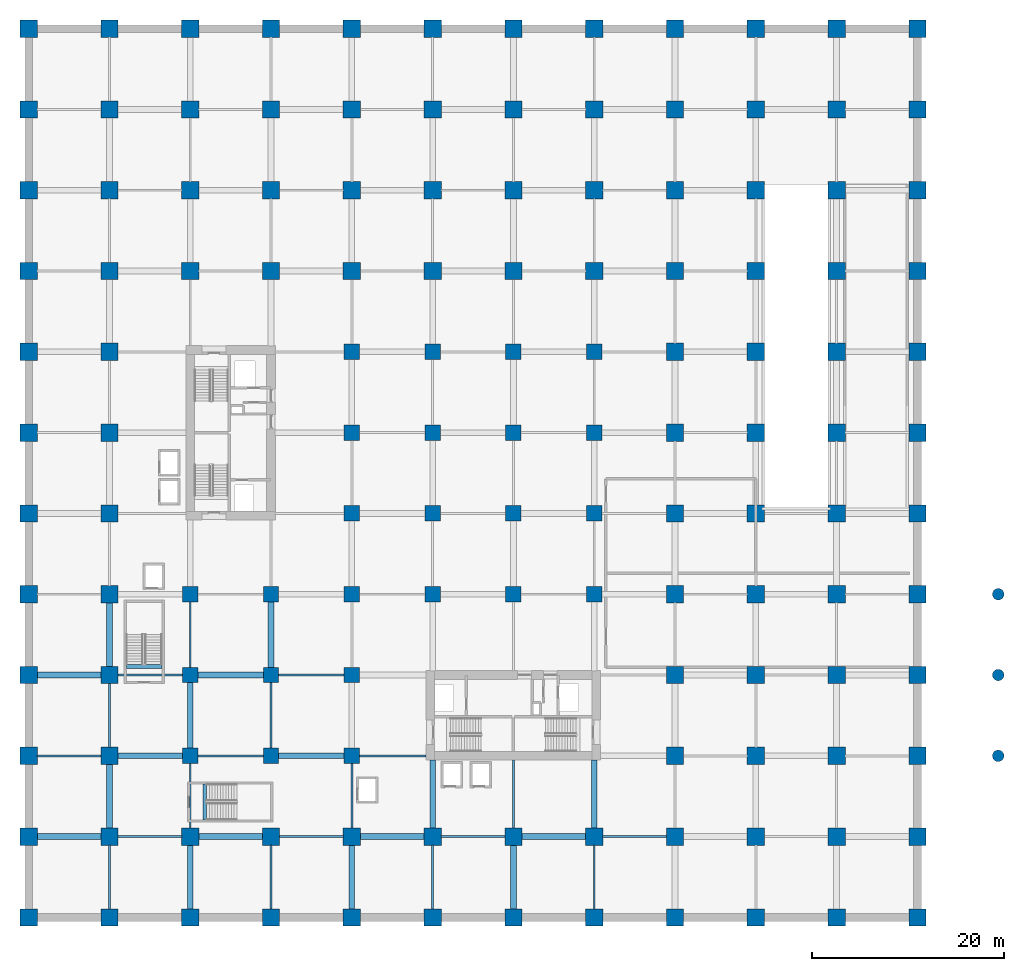
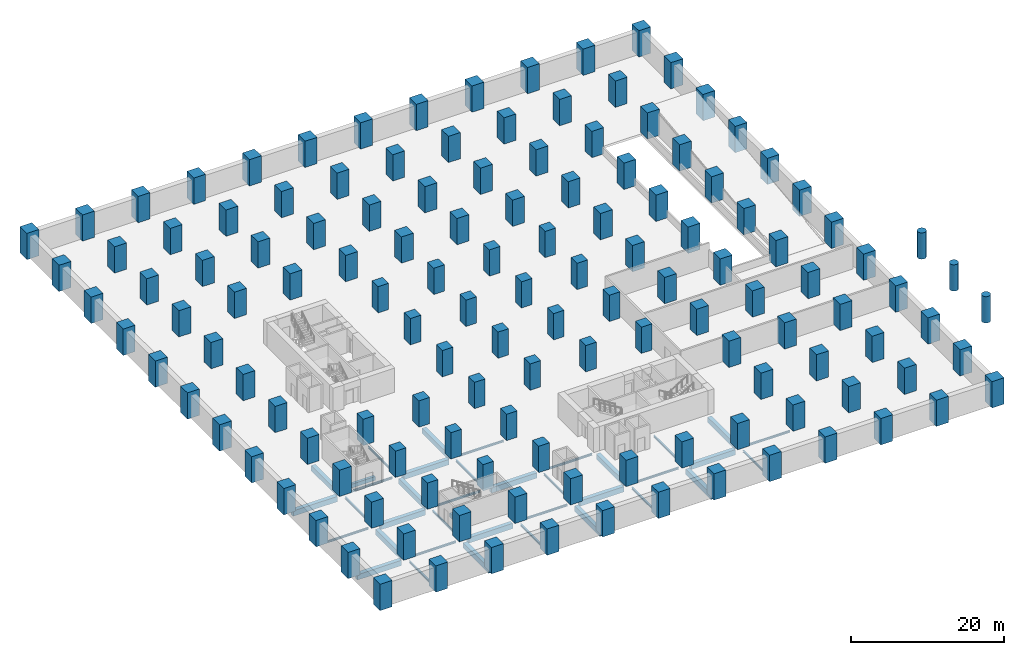
# One storey, part 1 of 13: 135 columns, 38 beams.
"""IFC4 building model written with IfcOpenShell, lengths in metres."""

from ifc_helpers import new_model, si_unit, direction, frame, origin, origin_2d, place, context, subcontext, project, spatial, rectangle, circle, i_section, extrude, material, material_profile, profile_set, type_object, element, save


model = new_model("IFC4")

# Units and contexts
model_context = context("Model", 3, precision=1e-05, world=origin(), true_north=direction((0.0, 1.0)))
body_context = subcontext(model_context, "Body", "Model", "MODEL_VIEW")
ifc_project = project(units=[si_unit("LENGTHUNIT", "METRE"), si_unit("AREAUNIT", "SQUARE_METRE"), si_unit("VOLUMEUNIT", "CUBIC_METRE"), si_unit("PLANEANGLEUNIT", "RADIAN"), si_unit("MASSUNIT", "GRAM", prefix="KILO")], contexts=[model_context])

# Site, building, storey
site_placement = place(None, origin())
site = spatial("IfcSite", under=ifc_project, at=site_placement, CompositionType="ELEMENT")
building_placement = place(site_placement, origin())
building = spatial("IfcBuilding", under=site, at=building_placement, Name="Koriwani Terraces Tower", CompositionType="ELEMENT")
storey_placement = place(building_placement, frame((0.0, 0.0, -4.199951171875)))
storey = spatial("IfcBuildingStorey", under=building, at=storey_placement, Name="B01", CompositionType="ELEMENT", Elevation=-4.199951171875)

# Columns
ifc_material_1 = material(Name="Concrete C50/60", Category="concrete")
ifc_material_profile_1 = material_profile(ifc_material_1, circle(Radius=0.60009765625, at=origin_2d()), Name="Concrete C50/60", Category="LoadBearing")
ifc_profile_set_1 = profile_set([ifc_material_profile_1], Name="Concrete C50/60")
column_type_1 = type_object("IfcColumnType", Name="COL_RC_1200_RND", PredefinedType="COLUMN", material=ifc_profile_set_1)
for number, where, z_axis, x_axis, name in (
    (1, (100.800048828125, 16.800048828125, 0.0), (0.0, 0.0, 1.0), (1.0, 0.0, 0.0), "B01 Porte-Cochere Column PC-1"),
    (2, (100.800048828125, 25.199951171875, 0.0), (0.0, 0.0, 1.0), (1.0, 0.0, 0.0), "B01 Porte-Cochere Column PC-2"),
    (3, (100.800048828125, 33.60009765625, 0.0), (0.0, 0.0, 1.0), (1.0, 0.0, 0.0), "B01 Porte-Cochere Column PC-3"),
):
    element("IfcColumn", number, at=place(storey_placement, frame(where, z_axis=z_axis, x_axis=x_axis)), inside=storey, type_object=column_type_1, Name=name, PredefinedType="COLUMN", context=body_context, shape_type="SweptSolid", body=[
        extrude(circle(Radius=0.60009765625, at=origin_2d()), origin(), (0.0, 0.0, 1.0), 4.199951171875),
    ])
ifc_material_2 = material(Name="Concrete C60/75", Category="concrete")
ifc_material_profile_2 = material_profile(ifc_material_2, rectangle(XDim=1.60009765625, YDim=1.60009765625, at=origin_2d()), Name="Concrete C60/75", Category="LoadBearing")
ifc_profile_set_2 = profile_set([ifc_material_profile_2], Name="Concrete C60/75")
column_type_2 = type_object("IfcColumnType", Name="COL_RC_1600X1600", PredefinedType="COLUMN", material=ifc_profile_set_2)
for number, where, z_axis, x_axis, name in (
    (4, (16.800048828125, 16.800048828125, 0.0), (0.0, 0.0, 1.0), (1.0, 0.0, 0.0), "B01 Column 3/C"),
    (5, (16.800048828125, 25.199951171875, 0.0), (0.0, 0.0, 1.0), (1.0, 0.0, 0.0), "B01 Column 3/D"),
    (6, (16.800048828125, 33.60009765625, 0.0), (0.0, 0.0, 1.0), (1.0, 0.0, 0.0), "B01 Column 3/E"),
    (7, (25.199951171875, 16.800048828125, 0.0), (0.0, 0.0, 1.0), (1.0, 0.0, 0.0), "B01 Column 4/C"),
    (8, (25.199951171875, 25.199951171875, 0.0), (0.0, 0.0, 1.0), (1.0, 0.0, 0.0), "B01 Column 4/D"),
    (9, (25.199951171875, 33.60009765625, 0.0), (0.0, 0.0, 1.0), (1.0, 0.0, 0.0), "B01 Column 4/E"),
    (10, (33.60009765625, 16.800048828125, 0.0), (0.0, 0.0, 1.0), (1.0, 0.0, 0.0), "B01 Column 5/C"),
    (11, (33.60009765625, 25.199951171875, 0.0), (0.0, 0.0, 1.0), (1.0, 0.0, 0.0), "B01 Column 5/D"),
    (12, (33.60009765625, 33.60009765625, 0.0), (0.0, 0.0, 1.0), (1.0, 0.0, 0.0), "B01 Column 5/E"),
    (13, (33.60009765625, 42.0, 0.0), (0.0, 0.0, 1.0), (1.0, 0.0, 0.0), "B01 Column 5/F"),
    (14, (33.60009765625, 50.39990234375, 0.0), (0.0, 0.0, 1.0), (1.0, 0.0, 0.0), "B01 Column 5/G"),
    (15, (33.60009765625, 58.800048828125, 0.0), (0.0, 0.0, 1.0), (1.0, 0.0, 0.0), "B01 Column 5/H"),
    (16, (42.0, 33.60009765625, 0.0), (0.0, 0.0, 1.0), (1.0, 0.0, 0.0), "B01 Column 6/E"),
    (17, (42.0, 42.0, 0.0), (0.0, 0.0, 1.0), (1.0, 0.0, 0.0), "B01 Column 6/F"),
    (18, (42.0, 50.39990234375, 0.0), (0.0, 0.0, 1.0), (1.0, 0.0, 0.0), "B01 Column 6/G"),
    (19, (42.0, 58.800048828125, 0.0), (0.0, 0.0, 1.0), (1.0, 0.0, 0.0), "B01 Column 6/H"),
    (20, (50.39990234375, 33.60009765625, 0.0), (0.0, 0.0, 1.0), (1.0, 0.0, 0.0), "B01 Column 7/E"),
    (21, (50.39990234375, 42.0, 0.0), (0.0, 0.0, 1.0), (1.0, 0.0, 0.0), "B01 Column 7/F"),
    (22, (50.39990234375, 50.39990234375, 0.0), (0.0, 0.0, 1.0), (1.0, 0.0, 0.0), "B01 Column 7/G"),
    (23, (50.39990234375, 58.800048828125, 0.0), (0.0, 0.0, 1.0), (1.0, 0.0, 0.0), "B01 Column 7/H"),
    (24, (58.800048828125, 33.60009765625, 0.0), (0.0, 0.0, 1.0), (1.0, 0.0, 0.0), "B01 Column 8/E"),
    (25, (58.800048828125, 42.0, 0.0), (0.0, 0.0, 1.0), (1.0, 0.0, 0.0), "B01 Column 8/F"),
    (26, (58.800048828125, 50.39990234375, 0.0), (0.0, 0.0, 1.0), (1.0, 0.0, 0.0), "B01 Column 8/G"),
    (27, (58.800048828125, 58.800048828125, 0.0), (0.0, 0.0, 1.0), (1.0, 0.0, 0.0), "B01 Column 8/H"),
):
    element("IfcColumn", number, at=place(storey_placement, frame(where, z_axis=z_axis, x_axis=x_axis)), inside=storey, type_object=column_type_2, Name=name, PredefinedType="COLUMN", context=body_context, shape_type="SweptSolid", body=[
        extrude(rectangle(XDim=1.60009765625, YDim=1.60009765625, at=origin_2d()), origin(), (0.0, 0.0, 1.0), 4.199951171875),
    ])
ifc_material_profile_3 = material_profile(ifc_material_2, rectangle(XDim=1.800048828125, YDim=1.800048828125, at=origin_2d()), Name="Concrete C60/75", Category="LoadBearing")
ifc_profile_set_3 = profile_set([ifc_material_profile_3], Name="Concrete C60/75")
column_type_3 = type_object("IfcColumnType", Name="COL_RC_1800X1800", PredefinedType="COLUMN", material=ifc_profile_set_3)
for number, where, z_axis, x_axis, name in (
    (28, (0.0, 0.0, 0.0), (0.0, 0.0, 1.0), (1.0, 0.0, 0.0), "B01 Column 1/A"),
    (29, (0.0, 8.39990234375, 0.0), (0.0, 0.0, 1.0), (1.0, 0.0, 0.0), "B01 Column 1/B"),
    (30, (0.0, 16.800048828125, 0.0), (0.0, 0.0, 1.0), (1.0, 0.0, 0.0), "B01 Column 1/C"),
    (31, (0.0, 25.199951171875, 0.0), (0.0, 0.0, 1.0), (1.0, 0.0, 0.0), "B01 Column 1/D"),
    (32, (0.0, 33.60009765625, 0.0), (0.0, 0.0, 1.0), (1.0, 0.0, 0.0), "B01 Column 1/E"),
    (33, (0.0, 42.0, 0.0), (0.0, 0.0, 1.0), (1.0, 0.0, 0.0), "B01 Column 1/F"),
    (34, (0.0, 50.39990234375, 0.0), (0.0, 0.0, 1.0), (1.0, 0.0, 0.0), "B01 Column 1/G"),
    (35, (0.0, 58.800048828125, 0.0), (0.0, 0.0, 1.0), (1.0, 0.0, 0.0), "B01 Column 1/H"),
    (36, (0.0, 67.199951171875, 0.0), (0.0, 0.0, 1.0), (1.0, 0.0, 0.0), "B01 Column 1/I"),
    (37, (0.0, 75.60009765625, 0.0), (0.0, 0.0, 1.0), (1.0, 0.0, 0.0), "B01 Column 1/J"),
    (38, (0.0, 84.0, 0.0), (0.0, 0.0, 1.0), (1.0, 0.0, 0.0), "B01 Column 1/K"),
    (39, (0.0, 92.39990234375, 0.0), (0.0, 0.0, 1.0), (1.0, 0.0, 0.0), "B01 Column 1/L"),
    (40, (8.39990234375, 0.0, 0.0), (0.0, 0.0, 1.0), (1.0, 0.0, 0.0), "B01 Column 2/A"),
    (41, (8.39990234375, 8.39990234375, 0.0), (0.0, 0.0, 1.0), (1.0, 0.0, 0.0), "B01 Column 2/B"),
    (42, (8.39990234375, 16.800048828125, 0.0), (0.0, 0.0, 1.0), (1.0, 0.0, 0.0), "B01 Column 2/C"),
    (43, (8.39990234375, 25.199951171875, 0.0), (0.0, 0.0, 1.0), (1.0, 0.0, 0.0), "B01 Column 2/D"),
    (44, (8.39990234375, 33.60009765625, 0.0), (0.0, 0.0, 1.0), (1.0, 0.0, 0.0), "B01 Column 2/E"),
    (45, (8.39990234375, 42.0, 0.0), (0.0, 0.0, 1.0), (1.0, 0.0, 0.0), "B01 Column 2/F"),
    (46, (8.39990234375, 50.39990234375, 0.0), (0.0, 0.0, 1.0), (1.0, 0.0, 0.0), "B01 Column 2/G"),
    (47, (8.39990234375, 58.800048828125, 0.0), (0.0, 0.0, 1.0), (1.0, 0.0, 0.0), "B01 Column 2/H"),
    (48, (8.39990234375, 67.199951171875, 0.0), (0.0, 0.0, 1.0), (1.0, 0.0, 0.0), "B01 Column 2/I"),
    (49, (8.39990234375, 75.60009765625, 0.0), (0.0, 0.0, 1.0), (1.0, 0.0, 0.0), "B01 Column 2/J"),
    (50, (8.39990234375, 84.0, 0.0), (0.0, 0.0, 1.0), (1.0, 0.0, 0.0), "B01 Column 2/K"),
    (51, (8.39990234375, 92.39990234375, 0.0), (0.0, 0.0, 1.0), (1.0, 0.0, 0.0), "B01 Column 2/L"),
    (52, (16.800048828125, 0.0, 0.0), (0.0, 0.0, 1.0), (1.0, 0.0, 0.0), "B01 Column 3/A"),
    (53, (16.800048828125, 8.39990234375, 0.0), (0.0, 0.0, 1.0), (1.0, 0.0, 0.0), "B01 Column 3/B"),
    (54, (16.800048828125, 67.199951171875, 0.0), (0.0, 0.0, 1.0), (1.0, 0.0, 0.0), "B01 Column 3/I"),
    (55, (16.800048828125, 75.60009765625, 0.0), (0.0, 0.0, 1.0), (1.0, 0.0, 0.0), "B01 Column 3/J"),
    (56, (16.800048828125, 84.0, 0.0), (0.0, 0.0, 1.0), (1.0, 0.0, 0.0), "B01 Column 3/K"),
    (57, (16.800048828125, 92.39990234375, 0.0), (0.0, 0.0, 1.0), (1.0, 0.0, 0.0), "B01 Column 3/L"),
    (58, (25.199951171875, 0.0, 0.0), (0.0, 0.0, 1.0), (1.0, 0.0, 0.0), "B01 Column 4/A"),
    (59, (25.199951171875, 8.39990234375, 0.0), (0.0, 0.0, 1.0), (1.0, 0.0, 0.0), "B01 Column 4/B"),
    (60, (25.199951171875, 67.199951171875, 0.0), (0.0, 0.0, 1.0), (1.0, 0.0, 0.0), "B01 Column 4/I"),
    (61, (25.199951171875, 75.60009765625, 0.0), (0.0, 0.0, 1.0), (1.0, 0.0, 0.0), "B01 Column 4/J"),
    (62, (25.199951171875, 84.0, 0.0), (0.0, 0.0, 1.0), (1.0, 0.0, 0.0), "B01 Column 4/K"),
    (63, (25.199951171875, 92.39990234375, 0.0), (0.0, 0.0, 1.0), (1.0, 0.0, 0.0), "B01 Column 4/L"),
    (64, (33.60009765625, 0.0, 0.0), (0.0, 0.0, 1.0), (1.0, 0.0, 0.0), "B01 Column 5/A"),
    (65, (33.60009765625, 8.39990234375, 0.0), (0.0, 0.0, 1.0), (1.0, 0.0, 0.0), "B01 Column 5/B"),
    (66, (33.60009765625, 67.199951171875, 0.0), (0.0, 0.0, 1.0), (1.0, 0.0, 0.0), "B01 Column 5/I"),
    (67, (33.60009765625, 75.60009765625, 0.0), (0.0, 0.0, 1.0), (1.0, 0.0, 0.0), "B01 Column 5/J"),
    (68, (33.60009765625, 84.0, 0.0), (0.0, 0.0, 1.0), (1.0, 0.0, 0.0), "B01 Column 5/K"),
    (69, (33.60009765625, 92.39990234375, 0.0), (0.0, 0.0, 1.0), (1.0, 0.0, 0.0), "B01 Column 5/L"),
    (70, (42.0, 0.0, 0.0), (0.0, 0.0, 1.0), (1.0, 0.0, 0.0), "B01 Column 6/A"),
    (71, (42.0, 8.39990234375, 0.0), (0.0, 0.0, 1.0), (1.0, 0.0, 0.0), "B01 Column 6/B"),
    (72, (42.0, 67.199951171875, 0.0), (0.0, 0.0, 1.0), (1.0, 0.0, 0.0), "B01 Column 6/I"),
    (73, (42.0, 75.60009765625, 0.0), (0.0, 0.0, 1.0), (1.0, 0.0, 0.0), "B01 Column 6/J"),
    (74, (42.0, 84.0, 0.0), (0.0, 0.0, 1.0), (1.0, 0.0, 0.0), "B01 Column 6/K"),
    (75, (42.0, 92.39990234375, 0.0), (0.0, 0.0, 1.0), (1.0, 0.0, 0.0), "B01 Column 6/L"),
    (76, (50.39990234375, 0.0, 0.0), (0.0, 0.0, 1.0), (1.0, 0.0, 0.0), "B01 Column 7/A"),
    (77, (50.39990234375, 8.39990234375, 0.0), (0.0, 0.0, 1.0), (1.0, 0.0, 0.0), "B01 Column 7/B"),
    (78, (50.39990234375, 67.199951171875, 0.0), (0.0, 0.0, 1.0), (1.0, 0.0, 0.0), "B01 Column 7/I"),
    (79, (50.39990234375, 75.60009765625, 0.0), (0.0, 0.0, 1.0), (1.0, 0.0, 0.0), "B01 Column 7/J"),
    (80, (50.39990234375, 84.0, 0.0), (0.0, 0.0, 1.0), (1.0, 0.0, 0.0), "B01 Column 7/K"),
    (81, (50.39990234375, 92.39990234375, 0.0), (0.0, 0.0, 1.0), (1.0, 0.0, 0.0), "B01 Column 7/L"),
    (82, (58.800048828125, 0.0, 0.0), (0.0, 0.0, 1.0), (1.0, 0.0, 0.0), "B01 Column 8/A"),
    (83, (58.800048828125, 8.39990234375, 0.0), (0.0, 0.0, 1.0), (1.0, 0.0, 0.0), "B01 Column 8/B"),
    (84, (58.800048828125, 67.199951171875, 0.0), (0.0, 0.0, 1.0), (1.0, 0.0, 0.0), "B01 Column 8/I"),
    (85, (58.800048828125, 75.60009765625, 0.0), (0.0, 0.0, 1.0), (1.0, 0.0, 0.0), "B01 Column 8/J"),
    (86, (58.800048828125, 84.0, 0.0), (0.0, 0.0, 1.0), (1.0, 0.0, 0.0), "B01 Column 8/K"),
    (87, (58.800048828125, 92.39990234375, 0.0), (0.0, 0.0, 1.0), (1.0, 0.0, 0.0), "B01 Column 8/L"),
    (88, (67.199951171875, 0.0, 0.0), (0.0, 0.0, 1.0), (1.0, 0.0, 0.0), "B01 Column 9/A"),
    (89, (67.199951171875, 8.39990234375, 0.0), (0.0, 0.0, 1.0), (1.0, 0.0, 0.0), "B01 Column 9/B"),
    (90, (67.199951171875, 16.800048828125, 0.0), (0.0, 0.0, 1.0), (1.0, 0.0, 0.0), "B01 Column 9/C"),
    (91, (67.199951171875, 25.199951171875, 0.0), (0.0, 0.0, 1.0), (1.0, 0.0, 0.0), "B01 Column 9/D"),
    (92, (67.199951171875, 33.60009765625, 0.0), (0.0, 0.0, 1.0), (1.0, 0.0, 0.0), "B01 Column 9/E"),
    (93, (67.199951171875, 42.0, 0.0), (0.0, 0.0, 1.0), (1.0, 0.0, 0.0), "B01 Column 9/F"),
    (94, (67.199951171875, 50.39990234375, 0.0), (0.0, 0.0, 1.0), (1.0, 0.0, 0.0), "B01 Column 9/G"),
    (95, (67.199951171875, 58.800048828125, 0.0), (0.0, 0.0, 1.0), (1.0, 0.0, 0.0), "B01 Column 9/H"),
    (96, (67.199951171875, 67.199951171875, 0.0), (0.0, 0.0, 1.0), (1.0, 0.0, 0.0), "B01 Column 9/I"),
    (97, (67.199951171875, 75.60009765625, 0.0), (0.0, 0.0, 1.0), (1.0, 0.0, 0.0), "B01 Column 9/J"),
    (98, (67.199951171875, 84.0, 0.0), (0.0, 0.0, 1.0), (1.0, 0.0, 0.0), "B01 Column 9/K"),
    (99, (67.199951171875, 92.39990234375, 0.0), (0.0, 0.0, 1.0), (1.0, 0.0, 0.0), "B01 Column 9/L"),
    (100, (75.60009765625, 0.0, 0.0), (0.0, 0.0, 1.0), (1.0, 0.0, 0.0), "B01 Column 10/A"),
    (101, (75.60009765625, 8.39990234375, 0.0), (0.0, 0.0, 1.0), (1.0, 0.0, 0.0), "B01 Column 10/B"),
    (102, (75.60009765625, 16.800048828125, 0.0), (0.0, 0.0, 1.0), (1.0, 0.0, 0.0), "B01 Column 10/C"),
    (103, (75.60009765625, 25.199951171875, 0.0), (0.0, 0.0, 1.0), (1.0, 0.0, 0.0), "B01 Column 10/D"),
    (104, (75.60009765625, 33.60009765625, 0.0), (0.0, 0.0, 1.0), (1.0, 0.0, 0.0), "B01 Column 10/E"),
    (105, (75.60009765625, 42.0, 0.0), (0.0, 0.0, 1.0), (1.0, 0.0, 0.0), "B01 Column 10/F"),
    (106, (75.60009765625, 50.39990234375, 0.0), (0.0, 0.0, 1.0), (1.0, 0.0, 0.0), "B01 Column 10/G"),
    (107, (75.60009765625, 58.800048828125, 0.0), (0.0, 0.0, 1.0), (1.0, 0.0, 0.0), "B01 Column 10/H"),
    (108, (75.60009765625, 67.199951171875, 0.0), (0.0, 0.0, 1.0), (1.0, 0.0, 0.0), "B01 Column 10/I"),
    (109, (75.60009765625, 75.60009765625, 0.0), (0.0, 0.0, 1.0), (1.0, 0.0, 0.0), "B01 Column 10/J"),
    (110, (75.60009765625, 84.0, 0.0), (0.0, 0.0, 1.0), (1.0, 0.0, 0.0), "B01 Column 10/K"),
    (111, (75.60009765625, 92.39990234375, 0.0), (0.0, 0.0, 1.0), (1.0, 0.0, 0.0), "B01 Column 10/L"),
    (112, (84.0, 0.0, 0.0), (0.0, 0.0, 1.0), (1.0, 0.0, 0.0), "B01 Column 11/A"),
    (113, (84.0, 8.39990234375, 0.0), (0.0, 0.0, 1.0), (1.0, 0.0, 0.0), "B01 Column 11/B"),
    (114, (84.0, 16.800048828125, 0.0), (0.0, 0.0, 1.0), (1.0, 0.0, 0.0), "B01 Column 11/C"),
    (115, (84.0, 25.199951171875, 0.0), (0.0, 0.0, 1.0), (1.0, 0.0, 0.0), "B01 Column 11/D"),
    (116, (84.0, 33.60009765625, 0.0), (0.0, 0.0, 1.0), (1.0, 0.0, 0.0), "B01 Column 11/E"),
    (117, (84.0, 42.0, 0.0), (0.0, 0.0, 1.0), (1.0, 0.0, 0.0), "B01 Column 11/F"),
    (118, (84.0, 50.39990234375, 0.0), (0.0, 0.0, 1.0), (1.0, 0.0, 0.0), "B01 Column 11/G"),
    (119, (84.0, 58.800048828125, 0.0), (0.0, 0.0, 1.0), (1.0, 0.0, 0.0), "B01 Column 11/H"),
    (120, (84.0, 67.199951171875, 0.0), (0.0, 0.0, 1.0), (1.0, 0.0, 0.0), "B01 Column 11/I"),
    (121, (84.0, 75.60009765625, 0.0), (0.0, 0.0, 1.0), (1.0, 0.0, 0.0), "B01 Column 11/J"),
    (122, (84.0, 84.0, 0.0), (0.0, 0.0, 1.0), (1.0, 0.0, 0.0), "B01 Column 11/K"),
    (123, (84.0, 92.39990234375, 0.0), (0.0, 0.0, 1.0), (1.0, 0.0, 0.0), "B01 Column 11/L"),
    (124, (92.39990234375, 0.0, 0.0), (0.0, 0.0, 1.0), (1.0, 0.0, 0.0), "B01 Column 12/A"),
    (125, (92.39990234375, 8.39990234375, 0.0), (0.0, 0.0, 1.0), (1.0, 0.0, 0.0), "B01 Column 12/B"),
    (126, (92.39990234375, 16.800048828125, 0.0), (0.0, 0.0, 1.0), (1.0, 0.0, 0.0), "B01 Column 12/C"),
    (127, (92.39990234375, 25.199951171875, 0.0), (0.0, 0.0, 1.0), (1.0, 0.0, 0.0), "B01 Column 12/D"),
    (128, (92.39990234375, 33.60009765625, 0.0), (0.0, 0.0, 1.0), (1.0, 0.0, 0.0), "B01 Column 12/E"),
    (129, (92.39990234375, 42.0, 0.0), (0.0, 0.0, 1.0), (1.0, 0.0, 0.0), "B01 Column 12/F"),
    (130, (92.39990234375, 50.39990234375, 0.0), (0.0, 0.0, 1.0), (1.0, 0.0, 0.0), "B01 Column 12/G"),
    (131, (92.39990234375, 58.800048828125, 0.0), (0.0, 0.0, 1.0), (1.0, 0.0, 0.0), "B01 Column 12/H"),
    (132, (92.39990234375, 67.199951171875, 0.0), (0.0, 0.0, 1.0), (1.0, 0.0, 0.0), "B01 Column 12/I"),
    (133, (92.39990234375, 75.60009765625, 0.0), (0.0, 0.0, 1.0), (1.0, 0.0, 0.0), "B01 Column 12/J"),
    (134, (92.39990234375, 84.0, 0.0), (0.0, 0.0, 1.0), (1.0, 0.0, 0.0), "B01 Column 12/K"),
    (135, (92.39990234375, 92.39990234375, 0.0), (0.0, 0.0, 1.0), (1.0, 0.0, 0.0), "B01 Column 12/L"),
):
    element("IfcColumn", number, at=place(storey_placement, frame(where, z_axis=z_axis, x_axis=x_axis)), inside=storey, type_object=column_type_3, Name=name, PredefinedType="COLUMN", context=body_context, shape_type="SweptSolid", body=[
        extrude(rectangle(XDim=1.800048828125, YDim=1.800048828125, at=origin_2d()), origin(), (0.0, 0.0, 1.0), 4.199951171875),
    ])

# Beams
ifc_material_3 = material(Name="Concrete C40/50", Category="concrete")
ifc_material_profile_4 = material_profile(ifc_material_3, rectangle(XDim=0.39990234375, YDim=0.60009765625, at=origin_2d()), Name="Concrete C40/50", Category="LoadBearing")
ifc_profile_set_4 = profile_set([ifc_material_profile_4], Name="Concrete C40/50")
beam_type_1 = type_object("IfcBeamType", Name="BEAM_RC_GRID_400X600", PredefinedType="BEAM", material=ifc_profile_set_4)
for number, where, z_axis, x_axis, name in (
    (136, (10.14990234375, 26.10498046875, -0.300048828125), (1.0, 0.0, 0.0), (0.0, 1.0, 0.0), "B01 Stairwell Header Trimmer Beam ST-P1"),
    (137, (18.304931640625, 10.14990234375, -0.300048828125), (0.0, 1.0, 0.0), (-1.0, 0.0, 0.0), "B01 Stairwell Header Trimmer Beam ST-P2"),
):
    element("IfcBeam", number, at=place(storey_placement, frame(where, z_axis=z_axis, x_axis=x_axis)), inside=storey, type_object=beam_type_1, Name=name, PredefinedType="BEAM", context=body_context, shape_type="SweptSolid", body=[
        extrude(rectangle(XDim=0.39990234375, YDim=0.60009765625, at=origin_2d()), origin(), (0.0, 0.0, 1.0), 3.7001953125),
    ])
ifc_material_profile_5 = material_profile(ifc_material_2, rectangle(XDim=0.60009765625, YDim=0.85009765625, at=origin_2d()), Name="Concrete C60/75", Category="LoadBearing")
ifc_profile_set_5 = profile_set([ifc_material_profile_5], Name="Concrete C60/75")
beam_type_2 = type_object("IfcBeamType", Name="BEAM_RC_GRID_600X850", PredefinedType="BEAM", material=ifc_profile_set_5)
for number, where, z_axis, x_axis, name in (
    (138, (0.8798828125, 8.39990234375, -0.775146484375), (1.0, 0.0, 0.0), (0.0, 1.0, 0.0), "B01 Grid Beam B (0.0-8.4m)"),
    (139, (17.679931640625, 8.39990234375, -0.775146484375), (1.0, 0.0, 0.0), (0.0, 1.0, 0.0), "B01 Grid Beam B (16.8-25.2m)"),
    (140, (34.47998046875, 8.39990234375, -0.775146484375), (1.0, 0.0, 0.0), (0.0, 1.0, 0.0), "B01 Grid Beam B (33.6-42.0m)"),
):
    element("IfcBeam", number, at=place(storey_placement, frame(where, z_axis=z_axis, x_axis=x_axis)), inside=storey, type_object=beam_type_2, Name=name, PredefinedType="BEAM", context=body_context, shape_type="SweptSolid", body=[
        extrude(rectangle(XDim=0.60009765625, YDim=0.85009765625, at=origin_2d()), origin(), (0.0, 0.0, 1.0), 6.64013671875),
    ])
beam_1_placement = place(storey_placement, frame((51.280029296875, 8.39990234375, -0.775146484375), z_axis=(1.0, 0.0, 0.0), x_axis=(0.0, 1.0, 0.0)))
element("IfcBeam", 141, at=beam_1_placement, inside=storey, type_object=beam_type_2, Name="B01 Grid Beam B (50.4-58.8m)", PredefinedType="BEAM", context=body_context, shape_type="SweptSolid", body=[
    extrude(rectangle(XDim=0.60009765625, YDim=0.85009765625, at=origin_2d()), origin(), (0.0, 0.0, 1.0), 6.639892578125),
])
beam_2_placement = place(storey_placement, frame((9.280029296875, 16.800048828125, -0.775146484375), z_axis=(1.0, 0.0, 0.0), x_axis=(0.0, 1.0, 0.0)))
element("IfcBeam", 142, at=beam_2_placement, inside=storey, type_object=beam_type_2, Name="B01 Grid Beam C (8.4-16.8m)", PredefinedType="BEAM", context=body_context, shape_type="SweptSolid", body=[
    extrude(rectangle(XDim=0.60009765625, YDim=0.85009765625, at=origin_2d()), origin(), (0.0, 0.0, 1.0), 6.739990234375),
])
beam_3_placement = place(storey_placement, frame((25.97998046875, 16.800048828125, -0.775146484375), z_axis=(1.0, 0.0, 0.0), x_axis=(0.0, 1.0, 0.0)))
element("IfcBeam", 143, at=beam_3_placement, inside=storey, type_object=beam_type_2, Name="B01 Grid Beam C (25.2-33.6m)", PredefinedType="BEAM", context=body_context, shape_type="SweptSolid", body=[
    extrude(rectangle(XDim=0.60009765625, YDim=0.85009765625, at=origin_2d()), origin(), (0.0, 0.0, 1.0), 6.840087890625),
])
beam_4_placement = place(storey_placement, frame((0.8798828125, 25.199951171875, -0.775146484375), z_axis=(1.0, 0.0, 0.0), x_axis=(0.0, 1.0, 0.0)))
element("IfcBeam", 144, at=beam_4_placement, inside=storey, type_object=beam_type_2, Name="B01 Grid Beam D (0.0-8.4m)", PredefinedType="BEAM", context=body_context, shape_type="SweptSolid", body=[
    extrude(rectangle(XDim=0.60009765625, YDim=0.85009765625, at=origin_2d()), origin(), (0.0, 0.0, 1.0), 6.64013671875),
])
beam_5_placement = place(storey_placement, frame((17.580078125, 25.199951171875, -0.775146484375), z_axis=(1.0, 0.0, 0.0), x_axis=(0.0, 1.0, 0.0)))
element("IfcBeam", 145, at=beam_5_placement, inside=storey, type_object=beam_type_2, Name="B01 Grid Beam D (16.8-25.2m)", PredefinedType="BEAM", context=body_context, shape_type="SweptSolid", body=[
    extrude(rectangle(XDim=0.60009765625, YDim=0.85009765625, at=origin_2d()), origin(), (0.0, 0.0, 1.0), 6.83984375),
])
for number, where, z_axis, x_axis, name in (
    (146, (8.39990234375, 9.280029296875, -0.775146484375), (0.0, 1.0, 0.0), (-1.0, 0.0, 0.0), "B01 Grid Beam 2 (8.4-16.8m)"),
    (147, (8.39990234375, 26.080078125, -0.775146484375), (0.0, 1.0, 0.0), (-1.0, 0.0, 0.0), "B01 Grid Beam 2 (25.2-33.6m)"),
):
    element("IfcBeam", number, at=place(storey_placement, frame(where, z_axis=z_axis, x_axis=x_axis)), inside=storey, type_object=beam_type_2, Name=name, PredefinedType="BEAM", context=body_context, shape_type="SweptSolid", body=[
        extrude(rectangle(XDim=0.60009765625, YDim=0.85009765625, at=origin_2d()), origin(), (0.0, 0.0, 1.0), 6.639892578125),
    ])
beam_6_placement = place(storey_placement, frame((16.800048828125, 0.8798828125, -0.775146484375), z_axis=(0.0, 1.0, 0.0), x_axis=(-1.0, 0.0, 0.0)))
element("IfcBeam", 148, at=beam_6_placement, inside=storey, type_object=beam_type_2, Name="B01 Grid Beam 3 (0.0-8.4m)", PredefinedType="BEAM", context=body_context, shape_type="SweptSolid", body=[
    extrude(rectangle(XDim=0.60009765625, YDim=0.85009765625, at=origin_2d()), origin(), (0.0, 0.0, 1.0), 6.64013671875),
])
beam_7_placement = place(storey_placement, frame((16.800048828125, 17.580078125, -0.775146484375), z_axis=(0.0, 1.0, 0.0), x_axis=(-1.0, 0.0, 0.0)))
element("IfcBeam", 149, at=beam_7_placement, inside=storey, type_object=beam_type_2, Name="B01 Grid Beam 3 (16.8-25.2m)", PredefinedType="BEAM", context=body_context, shape_type="SweptSolid", body=[
    extrude(rectangle(XDim=0.60009765625, YDim=0.85009765625, at=origin_2d()), origin(), (0.0, 0.0, 1.0), 6.83984375),
])
beam_8_placement = place(storey_placement, frame((25.199951171875, 25.97998046875, -0.775146484375), z_axis=(0.0, 1.0, 0.0), x_axis=(-1.0, 0.0, 0.0)))
element("IfcBeam", 150, at=beam_8_placement, inside=storey, type_object=beam_type_2, Name="B01 Grid Beam 4 (25.2-33.6m)", PredefinedType="BEAM", context=body_context, shape_type="SweptSolid", body=[
    extrude(rectangle(XDim=0.60009765625, YDim=0.85009765625, at=origin_2d()), origin(), (0.0, 0.0, 1.0), 6.840087890625),
])
beam_9_placement = place(storey_placement, frame((33.60009765625, 0.8798828125, -0.775146484375), z_axis=(0.0, 1.0, 0.0), x_axis=(-1.0, 0.0, 0.0)))
element("IfcBeam", 151, at=beam_9_placement, inside=storey, type_object=beam_type_2, Name="B01 Grid Beam 5 (0.0-8.4m)", PredefinedType="BEAM", context=body_context, shape_type="SweptSolid", body=[
    extrude(rectangle(XDim=0.60009765625, YDim=0.85009765625, at=origin_2d()), origin(), (0.0, 0.0, 1.0), 6.64013671875),
])
beam_10_placement = place(storey_placement, frame((42.0, 9.280029296875, -0.775146484375), z_axis=(0.0, 1.0, 0.0), x_axis=(-1.0, 0.0, 0.0)))
element("IfcBeam", 152, at=beam_10_placement, inside=storey, type_object=beam_type_2, Name="B01 Grid Beam 6 (8.4-16.8m)", PredefinedType="BEAM", context=body_context, shape_type="SweptSolid", body=[
    extrude(rectangle(XDim=0.60009765625, YDim=0.85009765625, at=origin_2d()), origin(), (0.0, 0.0, 1.0), 7.090087890625),
])
beam_11_placement = place(storey_placement, frame((50.39990234375, 0.8798828125, -0.775146484375), z_axis=(0.0, 1.0, 0.0), x_axis=(-1.0, 0.0, 0.0)))
element("IfcBeam", 153, at=beam_11_placement, inside=storey, type_object=beam_type_2, Name="B01 Grid Beam 7 (0.0-8.4m)", PredefinedType="BEAM", context=body_context, shape_type="SweptSolid", body=[
    extrude(rectangle(XDim=0.60009765625, YDim=0.85009765625, at=origin_2d()), origin(), (0.0, 0.0, 1.0), 6.64013671875),
])
beam_12_placement = place(storey_placement, frame((58.800048828125, 9.280029296875, -0.775146484375), z_axis=(0.0, 1.0, 0.0), x_axis=(-1.0, 0.0, 0.0)))
element("IfcBeam", 154, at=beam_12_placement, inside=storey, type_object=beam_type_2, Name="B01 Grid Beam 8 (8.4-16.8m)", PredefinedType="BEAM", context=body_context, shape_type="SweptSolid", body=[
    extrude(rectangle(XDim=0.60009765625, YDim=0.85009765625, at=origin_2d()), origin(), (0.0, 0.0, 1.0), 7.090087890625),
])
ifc_material_4 = material(Name="Steel ASTM A572 Grade 50", Category="steel")
ifc_material_profile_6 = material_profile(ifc_material_4, i_section(OverallWidth=0.205078125, OverallDepth=0.31005859375, WebThickness=0.009521484375, FlangeThickness=0.016357421875, at=origin_2d()), Name="Steel ASTM A572 Grade 50", Category="LoadBearing")
ifc_profile_set_6 = profile_set([ifc_material_profile_6], Name="Steel ASTM A572 Grade 50")
beam_type_3 = type_object("IfcBeamType", Name="STEEL_BEAM_W310X74", PredefinedType="JOIST", material=ifc_profile_set_6)
for number, where, z_axis, x_axis, name in (
    (155, (9.280029296875, 8.39990234375, -0.505126953125), (1.0, 0.0, 0.0), (0.0, 1.0, 0.0), "B01 Grid Beam B (8.4-16.8m)"),
    (156, (26.080078125, 8.39990234375, -0.505126953125), (1.0, 0.0, 0.0), (0.0, 1.0, 0.0), "B01 Grid Beam B (25.2-33.6m)"),
):
    element("IfcBeam", number, at=place(storey_placement, frame(where, z_axis=z_axis, x_axis=x_axis)), inside=storey, type_object=beam_type_3, Name=name, PredefinedType="JOIST", context=body_context, shape_type="SweptSolid", body=[
        extrude(i_section(OverallWidth=0.205078125, OverallDepth=0.31005859375, WebThickness=0.009521484375, FlangeThickness=0.016357421875, at=origin_2d()), origin(), (0.0, 0.0, 1.0), 6.639892578125),
    ])
for number, where, z_axis, x_axis, name in (
    (157, (42.8798828125, 8.39990234375, -0.505126953125), (1.0, 0.0, 0.0), (0.0, 1.0, 0.0), "B01 Grid Beam B (42.0-50.4m)"),
    (158, (59.679931640625, 8.39990234375, -0.505126953125), (1.0, 0.0, 0.0), (0.0, 1.0, 0.0), "B01 Grid Beam B (58.8-67.2m)"),
    (159, (0.8798828125, 16.800048828125, -0.505126953125), (1.0, 0.0, 0.0), (0.0, 1.0, 0.0), "B01 Grid Beam C (0.0-8.4m)"),
):
    element("IfcBeam", number, at=place(storey_placement, frame(where, z_axis=z_axis, x_axis=x_axis)), inside=storey, type_object=beam_type_3, Name=name, PredefinedType="JOIST", context=body_context, shape_type="SweptSolid", body=[
        extrude(i_section(OverallWidth=0.205078125, OverallDepth=0.31005859375, WebThickness=0.009521484375, FlangeThickness=0.016357421875, at=origin_2d()), origin(), (0.0, 0.0, 1.0), 6.64013671875),
    ])
beam_13_placement = place(storey_placement, frame((17.580078125, 16.800048828125, -0.505126953125), z_axis=(1.0, 0.0, 0.0), x_axis=(0.0, 1.0, 0.0)))
element("IfcBeam", 160, at=beam_13_placement, inside=storey, type_object=beam_type_3, Name="B01 Grid Beam C (16.8-25.2m)", PredefinedType="JOIST", context=body_context, shape_type="SweptSolid", body=[
    extrude(i_section(OverallWidth=0.205078125, OverallDepth=0.31005859375, WebThickness=0.009521484375, FlangeThickness=0.016357421875, at=origin_2d()), origin(), (0.0, 0.0, 1.0), 6.83984375),
])
beam_14_placement = place(storey_placement, frame((34.3798828125, 16.800048828125, -0.505126953125), z_axis=(1.0, 0.0, 0.0), x_axis=(0.0, 1.0, 0.0)))
element("IfcBeam", 161, at=beam_14_placement, inside=storey, type_object=beam_type_3, Name="B01 Grid Beam C (33.6-42.0m)", PredefinedType="JOIST", context=body_context, shape_type="SweptSolid", body=[
    extrude(i_section(OverallWidth=0.205078125, OverallDepth=0.31005859375, WebThickness=0.009521484375, FlangeThickness=0.016357421875, at=origin_2d()), origin(), (0.0, 0.0, 1.0), 6.940185546875),
])
beam_15_placement = place(storey_placement, frame((9.280029296875, 25.199951171875, -0.505126953125), z_axis=(1.0, 0.0, 0.0), x_axis=(0.0, 1.0, 0.0)))
element("IfcBeam", 162, at=beam_15_placement, inside=storey, type_object=beam_type_3, Name="B01 Grid Beam D (8.4-16.8m)", PredefinedType="JOIST", context=body_context, shape_type="SweptSolid", body=[
    extrude(i_section(OverallWidth=0.205078125, OverallDepth=0.31005859375, WebThickness=0.009521484375, FlangeThickness=0.016357421875, at=origin_2d()), origin(), (0.0, 0.0, 1.0), 6.739990234375),
])
beam_16_placement = place(storey_placement, frame((25.97998046875, 25.199951171875, -0.505126953125), z_axis=(1.0, 0.0, 0.0), x_axis=(0.0, 1.0, 0.0)))
element("IfcBeam", 163, at=beam_16_placement, inside=storey, type_object=beam_type_3, Name="B01 Grid Beam D (25.2-33.6m)", PredefinedType="JOIST", context=body_context, shape_type="SweptSolid", body=[
    extrude(i_section(OverallWidth=0.205078125, OverallDepth=0.31005859375, WebThickness=0.009521484375, FlangeThickness=0.016357421875, at=origin_2d()), origin(), (0.0, 0.0, 1.0), 6.840087890625),
])
for number, where, z_axis, x_axis, name in (
    (164, (8.39990234375, 0.8798828125, -0.505126953125), (0.0, 1.0, 0.0), (-1.0, 0.0, 0.0), "B01 Grid Beam 2 (0.0-8.4m)"),
    (165, (8.39990234375, 17.679931640625, -0.505126953125), (0.0, 1.0, 0.0), (-1.0, 0.0, 0.0), "B01 Grid Beam 2 (16.8-25.2m)"),
):
    element("IfcBeam", number, at=place(storey_placement, frame(where, z_axis=z_axis, x_axis=x_axis)), inside=storey, type_object=beam_type_3, Name=name, PredefinedType="JOIST", context=body_context, shape_type="SweptSolid", body=[
        extrude(i_section(OverallWidth=0.205078125, OverallDepth=0.31005859375, WebThickness=0.009521484375, FlangeThickness=0.016357421875, at=origin_2d()), origin(), (0.0, 0.0, 1.0), 6.64013671875),
    ])
beam_17_placement = place(storey_placement, frame((16.800048828125, 9.280029296875, -0.505126953125), z_axis=(0.0, 1.0, 0.0), x_axis=(-1.0, 0.0, 0.0)))
element("IfcBeam", 166, at=beam_17_placement, inside=storey, type_object=beam_type_3, Name="B01 Grid Beam 3 (8.4-16.8m)", PredefinedType="JOIST", context=body_context, shape_type="SweptSolid", body=[
    extrude(i_section(OverallWidth=0.205078125, OverallDepth=0.31005859375, WebThickness=0.009521484375, FlangeThickness=0.016357421875, at=origin_2d()), origin(), (0.0, 0.0, 1.0), 6.739990234375),
])
beam_18_placement = place(storey_placement, frame((16.800048828125, 25.97998046875, -0.505126953125), z_axis=(0.0, 1.0, 0.0), x_axis=(-1.0, 0.0, 0.0)))
element("IfcBeam", 167, at=beam_18_placement, inside=storey, type_object=beam_type_3, Name="B01 Grid Beam 3 (25.2-33.6m)", PredefinedType="JOIST", context=body_context, shape_type="SweptSolid", body=[
    extrude(i_section(OverallWidth=0.205078125, OverallDepth=0.31005859375, WebThickness=0.009521484375, FlangeThickness=0.016357421875, at=origin_2d()), origin(), (0.0, 0.0, 1.0), 6.840087890625),
])
beam_19_placement = place(storey_placement, frame((25.199951171875, 0.8798828125, -0.505126953125), z_axis=(0.0, 1.0, 0.0), x_axis=(-1.0, 0.0, 0.0)))
element("IfcBeam", 168, at=beam_19_placement, inside=storey, type_object=beam_type_3, Name="B01 Grid Beam 4 (0.0-8.4m)", PredefinedType="JOIST", context=body_context, shape_type="SweptSolid", body=[
    extrude(i_section(OverallWidth=0.205078125, OverallDepth=0.31005859375, WebThickness=0.009521484375, FlangeThickness=0.016357421875, at=origin_2d()), origin(), (0.0, 0.0, 1.0), 6.64013671875),
])
beam_20_placement = place(storey_placement, frame((25.199951171875, 17.580078125, -0.505126953125), z_axis=(0.0, 1.0, 0.0), x_axis=(-1.0, 0.0, 0.0)))
element("IfcBeam", 169, at=beam_20_placement, inside=storey, type_object=beam_type_3, Name="B01 Grid Beam 4 (16.8-25.2m)", PredefinedType="JOIST", context=body_context, shape_type="SweptSolid", body=[
    extrude(i_section(OverallWidth=0.205078125, OverallDepth=0.31005859375, WebThickness=0.009521484375, FlangeThickness=0.016357421875, at=origin_2d()), origin(), (0.0, 0.0, 1.0), 6.83984375),
])
beam_21_placement = place(storey_placement, frame((33.60009765625, 9.280029296875, -0.505126953125), z_axis=(0.0, 1.0, 0.0), x_axis=(-1.0, 0.0, 0.0)))
element("IfcBeam", 170, at=beam_21_placement, inside=storey, type_object=beam_type_3, Name="B01 Grid Beam 5 (8.4-16.8m)", PredefinedType="JOIST", context=body_context, shape_type="SweptSolid", body=[
    extrude(i_section(OverallWidth=0.205078125, OverallDepth=0.31005859375, WebThickness=0.009521484375, FlangeThickness=0.016357421875, at=origin_2d()), origin(), (0.0, 0.0, 1.0), 6.739990234375),
])
beam_22_placement = place(storey_placement, frame((42.0, 0.8798828125, -0.505126953125), z_axis=(0.0, 1.0, 0.0), x_axis=(-1.0, 0.0, 0.0)))
element("IfcBeam", 171, at=beam_22_placement, inside=storey, type_object=beam_type_3, Name="B01 Grid Beam 6 (0.0-8.4m)", PredefinedType="JOIST", context=body_context, shape_type="SweptSolid", body=[
    extrude(i_section(OverallWidth=0.205078125, OverallDepth=0.31005859375, WebThickness=0.009521484375, FlangeThickness=0.016357421875, at=origin_2d()), origin(), (0.0, 0.0, 1.0), 6.64013671875),
])
beam_23_placement = place(storey_placement, frame((50.39990234375, 9.280029296875, -0.505126953125), z_axis=(0.0, 1.0, 0.0), x_axis=(-1.0, 0.0, 0.0)))
element("IfcBeam", 172, at=beam_23_placement, inside=storey, type_object=beam_type_3, Name="B01 Grid Beam 7 (8.4-16.8m)", PredefinedType="JOIST", context=body_context, shape_type="SweptSolid", body=[
    extrude(i_section(OverallWidth=0.205078125, OverallDepth=0.31005859375, WebThickness=0.009521484375, FlangeThickness=0.016357421875, at=origin_2d()), origin(), (0.0, 0.0, 1.0), 7.090087890625),
])
beam_24_placement = place(storey_placement, frame((58.800048828125, 0.8798828125, -0.505126953125), z_axis=(0.0, 1.0, 0.0), x_axis=(-1.0, 0.0, 0.0)))
element("IfcBeam", 173, at=beam_24_placement, inside=storey, type_object=beam_type_3, Name="B01 Grid Beam 8 (0.0-8.4m)", PredefinedType="JOIST", context=body_context, shape_type="SweptSolid", body=[
    extrude(i_section(OverallWidth=0.205078125, OverallDepth=0.31005859375, WebThickness=0.009521484375, FlangeThickness=0.016357421875, at=origin_2d()), origin(), (0.0, 0.0, 1.0), 6.64013671875),
])

save(model, "model.ifc")
